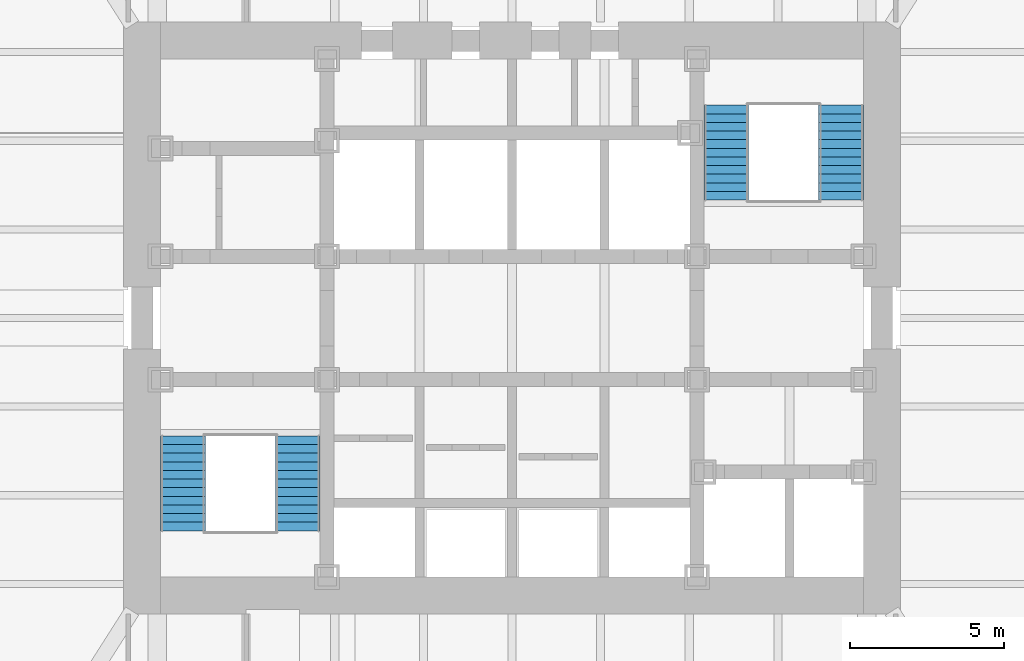
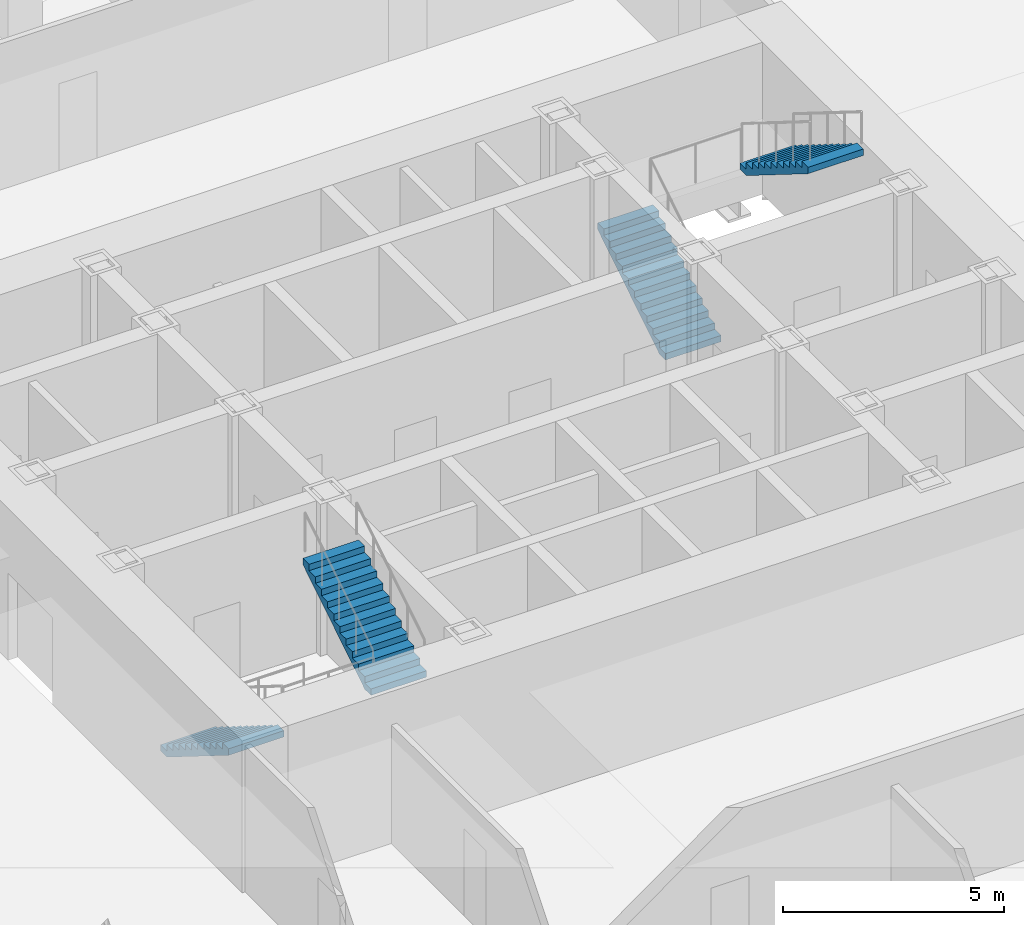
# One storey, part 11 of 17: 4 stair flights, 2 elements without a shape of their own.
"""IFC4 building model written with IfcOpenShell, lengths in metres."""

from ifc_helpers import new_model, si_unit, direction, frame, origin, place, context, subcontext, project, spatial, polyline, outline, extrude, material, type_object, element, aggregate, save


model = new_model("IFC4")

# Units and contexts
model_context = context("Model", 3, precision=1e-05, world=origin(), true_north=direction((0.0, 1.0)))
body_context = subcontext(model_context, "Body", "Model", "MODEL_VIEW")
ifc_project = project(units=[si_unit("LENGTHUNIT", "METRE"), si_unit("AREAUNIT", "SQUARE_METRE"), si_unit("VOLUMEUNIT", "CUBIC_METRE"), si_unit("PLANEANGLEUNIT", "RADIAN"), si_unit("MASSUNIT", "GRAM", prefix="KILO")], contexts=[model_context])

# Site, building, storey
site_placement = place(None, origin())
site = spatial("IfcSite", under=ifc_project, at=site_placement, CompositionType="ELEMENT")
building_placement = place(site_placement, origin())
building = spatial("IfcBuilding", under=site, at=building_placement, Name="Daluyong Arena Tower", CompositionType="ELEMENT")
storey_placement = place(building_placement, frame((0.0, 0.0, 166.89990234375)))
storey = spatial("IfcBuildingStorey", under=building, at=storey_placement, Name="L37", CompositionType="ELEMENT", Elevation=166.89990234375)

# Stair, stair flights
ifc_material_1 = material(Name="Concrete fc' 35 MPa", Category="concrete")
stair_type = type_object("IfcStairType", Name="Core exit stair", PredefinedType="HALF_TURN_STAIR", material=ifc_material_1)
stair_1_placement = place(storey_placement, origin())
stair_1 = element("IfcStair", 1, at=stair_1_placement, inside=storey, type_object=stair_type, Name="exit stair A L37", PredefinedType="HALF_TURN_STAIR")
ifc_material_2 = material(Name="Concrete fc' 35 MPa", Category="concrete")
stair_flight_type = type_object("IfcStairFlightType", Name="Core stair flight", PredefinedType="STRAIGHT", material=ifc_material_2)
stair_flight_1_placement = place(storey_placement, frame((45.324951171875, 76.175048828125, 0.0), z_axis=(0.0, 0.0, 1.0), x_axis=(0.0, -1.0, 0.0)))
stair_flight_1 = element("IfcStairFlight", 2, at=stair_flight_1_placement, type_object=stair_flight_type, Name="STA flight 1", NumberOfRisers=12, NumberOfTreads=11, PredefinedType="STRAIGHT", RiserHeight=0.175, TreadLength=0.28, context=body_context, shape_type="SweptSolid", body=[
    extrude(outline(polyline([(0.0, 0.0), (0.0, 0.175048828125), (0.280029296875, 0.175048828125), (0.280029296875, 0.35009765625), (0.56005859375, 0.35009765625), (0.56005859375, 0.52490234375), (0.840087890625, 0.52490234375), (0.840087890625, 0.699951171875), (1.1201171875, 0.699951171875), (1.1201171875, 0.875), (1.39990234375, 0.875), (1.39990234375, 1.050048828125), (1.679931640625, 1.050048828125), (1.679931640625, 1.22509765625), (1.9599609375, 1.22509765625), (1.9599609375, 1.39990234375), (2.239990234375, 1.39990234375), (2.239990234375, 1.574951171875), (2.52001953125, 1.574951171875), (2.52001953125, 1.75), (2.800048828125, 1.75), (2.800048828125, 1.925048828125), (3.080078125, 1.925048828125), (3.080078125, 2.10009765625), (3.080078125, 1.748291015625), (0.28271484375, 0.0), (0.0, 0.0)])), frame((0.0, 0.72509765625, 0.0), z_axis=(0.0, -1.0, 0.0), x_axis=(1.0, 0.0, 0.0)), (0.0, 0.0, 1.0), 1.449951171875),
])
stair_flight_2_placement = place(storey_placement, frame((49.050048828125, 73.094970703125, 2.10009765625), z_axis=(0.0, 0.0, 1.0), x_axis=(0.0, 1.0, 0.0)))
stair_flight_2 = element("IfcStairFlight", 3, at=stair_flight_2_placement, type_object=stair_flight_type, Name="STA flight 2", NumberOfRisers=12, NumberOfTreads=11, PredefinedType="STRAIGHT", RiserHeight=0.175, TreadLength=0.28, context=body_context, shape_type="SweptSolid", body=[
    extrude(outline(polyline([(0.0, 0.0), (0.0, 0.175048828125), (0.280029296875, 0.175048828125), (0.280029296875, 0.35009765625), (0.56005859375, 0.35009765625), (0.56005859375, 0.52490234375), (0.840087890625, 0.52490234375), (0.840087890625, 0.699951171875), (1.1201171875, 0.699951171875), (1.1201171875, 0.875), (1.39990234375, 0.875), (1.39990234375, 1.050048828125), (1.679931640625, 1.050048828125), (1.679931640625, 1.22509765625), (1.9599609375, 1.22509765625), (1.9599609375, 1.39990234375), (2.239990234375, 1.39990234375), (2.239990234375, 1.574951171875), (2.52001953125, 1.574951171875), (2.52001953125, 1.75), (2.800048828125, 1.75), (2.800048828125, 1.925048828125), (3.080078125, 1.925048828125), (3.080078125, 2.10009765625), (3.080078125, 1.748291015625), (0.28271484375, 0.0), (0.0, 0.0)])), frame((0.0, 0.72509765625, 0.0), z_axis=(0.0, -1.0, 0.0), x_axis=(1.0, 0.0, 0.0)), (0.0, 0.0, 1.0), 1.449951171875),
])
aggregate(stair_1, [stair_flight_1, stair_flight_2])

stair_2_placement = place(storey_placement, origin())
stair_2 = element("IfcStair", 4, at=stair_2_placement, inside=storey, type_object=stair_type, Name="exit stair B L37", PredefinedType="HALF_TURN_STAIR")
stair_flight_3_placement = place(storey_placement, frame((62.949951171875, 83.824951171875, 0.0), z_axis=(0.0, 0.0, 1.0), x_axis=(0.0, 1.0, 0.0)))
stair_flight_3 = element("IfcStairFlight", 5, at=stair_flight_3_placement, type_object=stair_flight_type, Name="STB flight 1", NumberOfRisers=12, NumberOfTreads=11, PredefinedType="STRAIGHT", RiserHeight=0.175, TreadLength=0.28, context=body_context, shape_type="SweptSolid", body=[
    extrude(outline(polyline([(0.0, 0.0), (0.0, 0.175048828125), (0.280029296875, 0.175048828125), (0.280029296875, 0.35009765625), (0.56005859375, 0.35009765625), (0.56005859375, 0.52490234375), (0.840087890625, 0.52490234375), (0.840087890625, 0.699951171875), (1.1201171875, 0.699951171875), (1.1201171875, 0.875), (1.39990234375, 0.875), (1.39990234375, 1.050048828125), (1.679931640625, 1.050048828125), (1.679931640625, 1.22509765625), (1.9599609375, 1.22509765625), (1.9599609375, 1.39990234375), (2.239990234375, 1.39990234375), (2.239990234375, 1.574951171875), (2.52001953125, 1.574951171875), (2.52001953125, 1.75), (2.800048828125, 1.75), (2.800048828125, 1.925048828125), (3.080078125, 1.925048828125), (3.080078125, 2.10009765625), (3.080078125, 1.748291015625), (0.28271484375, 0.0), (0.0, 0.0)])), frame((0.0, 0.72509765625, 0.0), z_axis=(0.0, -1.0, 0.0), x_axis=(1.0, 0.0, 0.0)), (0.0, 0.0, 1.0), 1.449951171875),
])
stair_flight_4_placement = place(storey_placement, frame((66.675048828125, 86.905029296875, 2.10009765625), z_axis=(0.0, 0.0, 1.0), x_axis=(0.0, -1.0, 0.0)))
stair_flight_4 = element("IfcStairFlight", 6, at=stair_flight_4_placement, type_object=stair_flight_type, Name="STB flight 2", NumberOfRisers=12, NumberOfTreads=11, PredefinedType="STRAIGHT", RiserHeight=0.175, TreadLength=0.28, context=body_context, shape_type="SweptSolid", body=[
    extrude(outline(polyline([(0.0, 0.0), (0.0, 0.175048828125), (0.280029296875, 0.175048828125), (0.280029296875, 0.35009765625), (0.56005859375, 0.35009765625), (0.56005859375, 0.52490234375), (0.840087890625, 0.52490234375), (0.840087890625, 0.699951171875), (1.1201171875, 0.699951171875), (1.1201171875, 0.875), (1.39990234375, 0.875), (1.39990234375, 1.050048828125), (1.679931640625, 1.050048828125), (1.679931640625, 1.22509765625), (1.9599609375, 1.22509765625), (1.9599609375, 1.39990234375), (2.239990234375, 1.39990234375), (2.239990234375, 1.574951171875), (2.52001953125, 1.574951171875), (2.52001953125, 1.75), (2.800048828125, 1.75), (2.800048828125, 1.925048828125), (3.080078125, 1.925048828125), (3.080078125, 2.10009765625), (3.080078125, 1.748291015625), (0.28271484375, 0.0), (0.0, 0.0)])), frame((0.0, 0.72509765625, 0.0), z_axis=(0.0, -1.0, 0.0), x_axis=(1.0, 0.0, 0.0)), (0.0, 0.0, 1.0), 1.449951171875),
])
aggregate(stair_2, [stair_flight_3, stair_flight_4])

save(model, "model.ifc")
